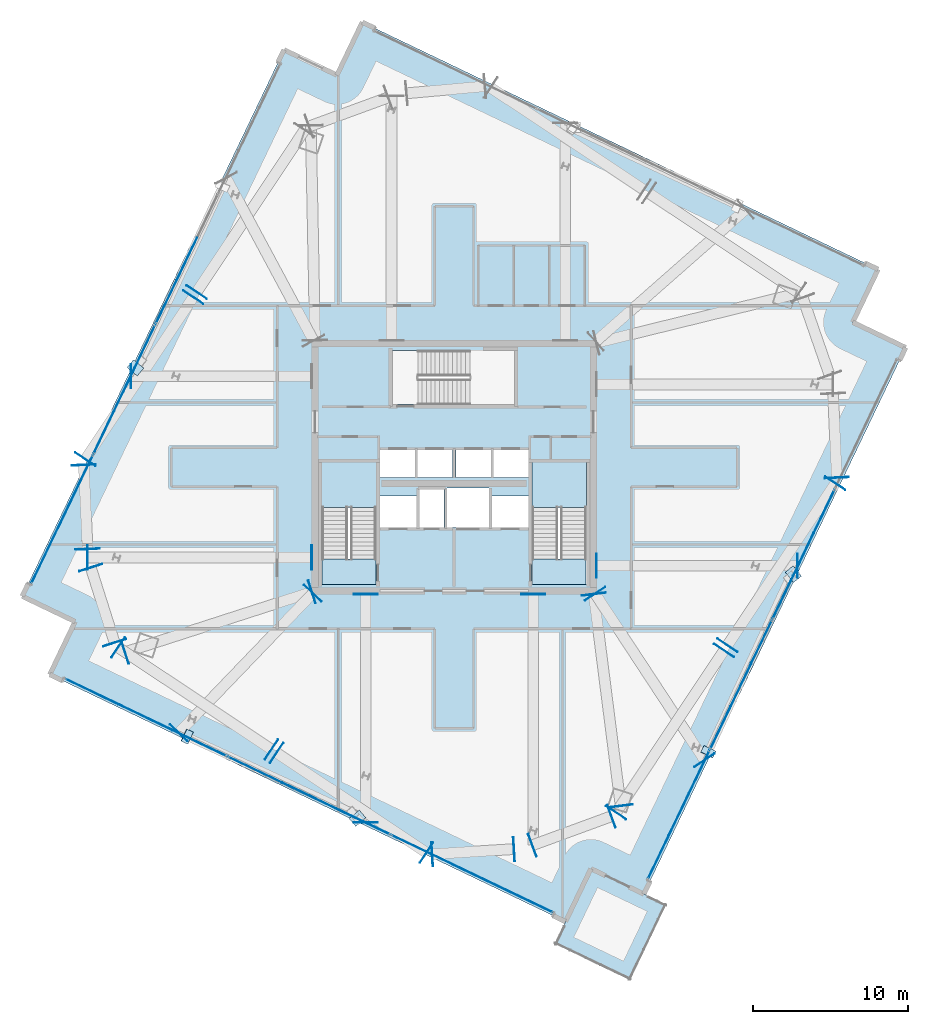
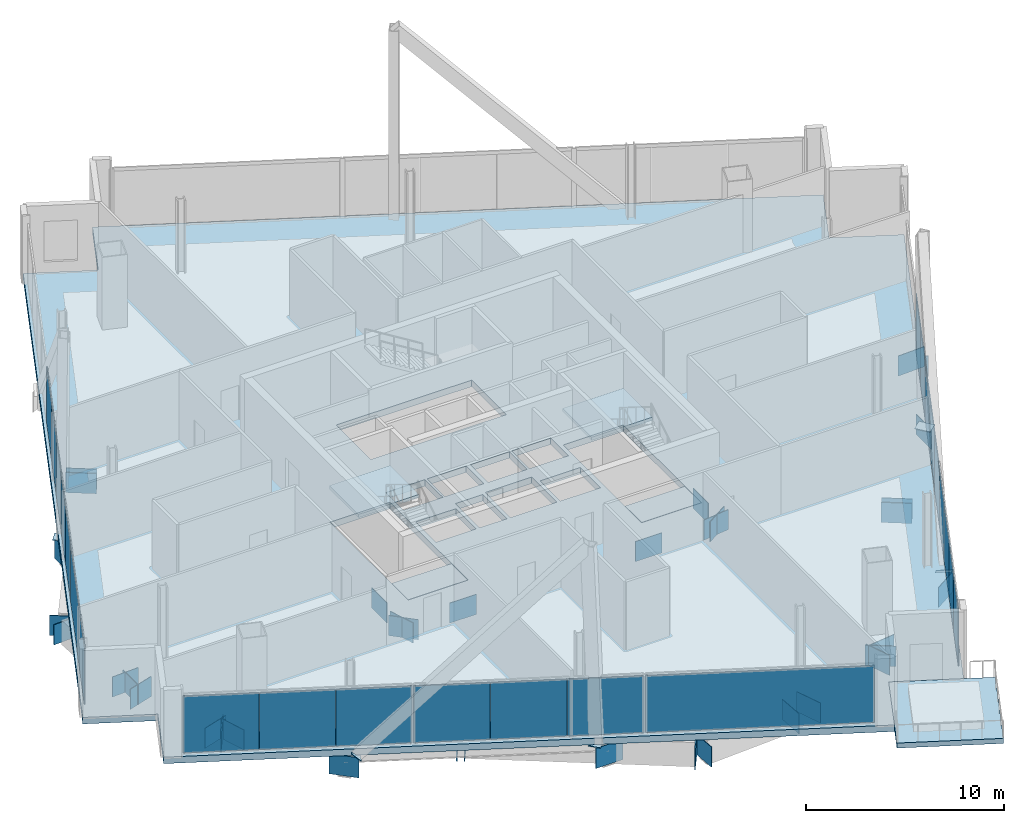
# One storey, part 15 of 24: 63 plates, 6 slabs, 5 elements without a shape of their own.
"""IFC4 building model written with IfcOpenShell, lengths in metres."""

from ifc_helpers import new_model, si_unit, direction, frame, origin, origin_2d, place, context, subcontext, project, spatial, polyline, rectangle, outline, extrude, source, transform, mapped, material, layer, layer_set, type_object, element, aggregate, save


model = new_model("IFC4")

# Units and contexts
model_context = context("Model", 3, precision=1e-05, world=origin(), true_north=direction((0.0, 1.0)))
body_context = subcontext(model_context, "Body", "Model", "MODEL_VIEW")
ifc_project = project(units=[si_unit("LENGTHUNIT", "METRE"), si_unit("AREAUNIT", "SQUARE_METRE"), si_unit("VOLUMEUNIT", "CUBIC_METRE"), si_unit("PLANEANGLEUNIT", "RADIAN"), si_unit("MASSUNIT", "GRAM", prefix="KILO")], contexts=[model_context])

# Site, building, storey
site_placement = place(None, origin())
site = spatial("IfcSite", under=ifc_project, at=site_placement, CompositionType="ELEMENT")
building_placement = place(site_placement, origin())
building = spatial("IfcBuilding", under=site, at=building_placement, Name="Haldenkirk Collegiate Tower", CompositionType="ELEMENT")
storey_placement = place(building_placement, frame((0.0, 0.0, 244.199951171875)))
storey = spatial("IfcBuildingStorey", under=building, at=storey_placement, Name="L61", CompositionType="ELEMENT", Elevation=244.199951171875)

# Slab
ifc_material_1 = material(Name="Concrete f'c 40 MPa", Category="concrete")
ifc_layer_1 = layer(ifc_material_1, 0.39990234375)
ifc_layer_set_1 = layer_set([ifc_layer_1], Name="Concrete f'c 40 MPa")
slab_type_1 = type_object("IfcSlabType", Name="SLB-FLR-400", PredefinedType="FLOOR", material=ifc_layer_set_1)
slab_1_placement = place(storey_placement, frame((0.0, 0.0, -0.39990234375)))
element("IfcSlab", 1, at=slab_1_placement, inside=storey, type_object=slab_type_1, Name="L61 composite structural floor slab", PredefinedType="FLOOR", context=body_context, shape_type="SweptSolid", body=[
    extrude(outline(polyline([(48.273193359375, -1.614013671875), (65.2109375, 33.73779296875), (61.7841796875, 35.3798828125), (63.426025390625, 38.806884765625), (30.05810546875, 54.7939453125), (28.416259765625, 51.366943359375), (24.9892578125, 53.009033203125), (8.051513671875, 17.656982421875), (11.478515625, 16.01513671875), (9.836669921875, 12.588134765625), (43.204345703125, -3.39892578125), (44.84619140625, 0.028076171875), (48.273193359375, -1.614013671875)]), holes=[polyline([(27.449951171875, 18.39990234375), (30.949951171875, 18.39990234375), (30.949951171875, 26.300048828125), (27.449951171875, 26.300048828125), (27.449951171875, 18.39990234375)]), polyline([(41.050048828125, 18.39990234375), (44.550048828125, 18.39990234375), (44.550048828125, 26.300048828125), (41.050048828125, 26.300048828125), (41.050048828125, 18.39990234375)]), polyline([(32.0, 30.050048828125), (39.89990234375, 30.050048828125), (39.89990234375, 33.550048828125), (32.0, 33.550048828125), (32.0, 30.050048828125)]), polyline([(33.75, 22.10009765625), (35.35009765625, 22.10009765625), (35.35009765625, 24.550048828125), (33.75, 24.550048828125), (33.75, 22.10009765625)]), polyline([(31.199951171875, 25.35009765625), (33.47998046875, 25.35009765625), (33.47998046875, 27.14990234375), (31.199951171875, 27.14990234375), (31.199951171875, 25.35009765625)]), polyline([(33.60009765625, 25.35009765625), (35.8798828125, 25.35009765625), (35.8798828125, 27.14990234375), (33.60009765625, 27.14990234375), (33.60009765625, 25.35009765625)]), polyline([(36.1201171875, 25.35009765625), (38.39990234375, 25.35009765625), (38.39990234375, 27.14990234375), (36.1201171875, 27.14990234375), (36.1201171875, 25.35009765625)]), polyline([(38.52001953125, 25.35009765625), (40.800048828125, 25.35009765625), (40.800048828125, 27.14990234375), (38.52001953125, 27.14990234375), (38.52001953125, 25.35009765625)]), polyline([(31.199951171875, 22.10009765625), (33.550048828125, 22.10009765625), (33.550048828125, 24.14990234375), (31.199951171875, 24.14990234375), (31.199951171875, 22.10009765625)]), polyline([(38.449951171875, 22.10009765625), (40.800048828125, 22.10009765625), (40.800048828125, 24.14990234375), (38.449951171875, 24.14990234375), (38.449951171875, 22.10009765625)]), polyline([(35.550048828125, 22.10009765625), (38.25, 22.10009765625), (38.25, 24.64990234375), (35.550048828125, 24.64990234375), (35.550048828125, 22.10009765625)])]), origin(), (0.0, 0.0, 1.0), 0.39990234375),
])

# Stair, slab
stair_type = type_object("IfcStairType", Name="STR-DOGLEG-1650", PredefinedType="HALF_TURN_STAIR", material=ifc_material_1)
stair_1_placement = place(storey_placement, origin())
stair_1 = element("IfcStair", 2, at=stair_1_placement, inside=storey, type_object=stair_type, Name="L61 Core Exit Stair ST-1", PredefinedType="HALF_TURN_STAIR")
ifc_layer_2 = layer(ifc_material_1, 0.199951171875)
ifc_layer_set_2 = layer_set([ifc_layer_2], Name="Concrete f'c 40 MPa")
slab_type_2 = type_object("IfcSlabType", Name="SLB-LANDING-200", PredefinedType="LANDING", material=ifc_layer_set_2)
slab_2_placement = place(storey_placement, frame((0.0, 0.0, 2.050048828125)))
slab_2 = element("IfcSlab", 3, at=slab_2_placement, type_object=slab_type_2, Name="ST-1 landing 1", PredefinedType="LANDING", context=body_context, shape_type="SweptSolid", body=[
    extrude(outline(polyline([(30.97509765625, 23.385009765625), (27.425048828125, 23.385009765625), (27.425048828125, 26.324951171875), (30.97509765625, 26.324951171875), (30.97509765625, 23.385009765625)])), origin(), (0.0, 0.0, 1.0), 0.199951171875),
])
aggregate(stair_1, [slab_2])

stair_2_placement = place(storey_placement, origin())
stair_2 = element("IfcStair", 4, at=stair_2_placement, inside=storey, type_object=stair_type, Name="L61 Core Exit Stair ST-2", PredefinedType="HALF_TURN_STAIR")
slab_3_placement = place(storey_placement, frame((0.0, 0.0, 2.050048828125)))
slab_3 = element("IfcSlab", 5, at=slab_3_placement, type_object=slab_type_2, Name="ST-2 landing 1", PredefinedType="LANDING", context=body_context, shape_type="SweptSolid", body=[
    extrude(outline(polyline([(44.574951171875, 23.385009765625), (41.02490234375, 23.385009765625), (41.02490234375, 26.324951171875), (44.574951171875, 26.324951171875), (44.574951171875, 23.385009765625)])), origin(), (0.0, 0.0, 1.0), 0.199951171875),
])
aggregate(stair_2, [slab_3])

# Slabs
ifc_layer_3 = layer(ifc_material_1, 0.31005859375)
ifc_layer_set_3 = layer_set([ifc_layer_3], Name="Concrete f'c 40 MPa")
slab_type_3 = type_object("IfcSlabType", Name="SLB-SKYGARDEN-310", PredefinedType="ROOF", material=ifc_layer_set_3)
slab_4_placement = place(storey_placement, frame((0.0, 0.0, -0.31005859375)))
element("IfcSlab", 6, at=slab_4_placement, inside=storey, type_object=slab_type_3, Name="L61 sky-garden planted terrace slab", PredefinedType="ROOF", context=body_context, shape_type="SweptSolid", body=[
    extrude(outline(polyline([(47.3828125, -7.175048828125), (49.71630859375, -2.30517578125), (44.84619140625, 0.028076171875), (42.512939453125, -4.841796875), (47.3828125, -7.175048828125)])), origin(), (0.0, 0.0, 1.0), 0.31005859375),
])
ifc_layer_4 = layer(ifc_material_1, 0.25)
ifc_layer_set_4 = layer_set([ifc_layer_4], Name="Concrete f'c 40 MPa")
slab_type_4 = type_object("IfcSlabType", Name="SLB-STAIRLAND-250", PredefinedType="LANDING", material=ifc_layer_set_4)
slab_5_placement = place(storey_placement, frame((0.0, 0.0, -0.25)))
element("IfcSlab", 7, at=slab_5_placement, inside=storey, type_object=slab_type_4, Name="L61 stair ST1 structural floor landing slab", PredefinedType="LANDING", context=body_context, shape_type="SweptSolid", body=[
    extrude(outline(polyline([(27.4599609375, 18.409912109375), (30.93994140625, 18.409912109375), (30.93994140625, 20.080078125), (27.4599609375, 20.080078125), (27.4599609375, 18.409912109375)])), origin(), (0.0, 0.0, 1.0), 0.25),
])
slab_6_placement = place(storey_placement, frame((0.0, 0.0, -0.25)))
element("IfcSlab", 8, at=slab_6_placement, inside=storey, type_object=slab_type_4, Name="L61 stair ST2 structural floor landing slab", PredefinedType="LANDING", context=body_context, shape_type="SweptSolid", body=[
    extrude(outline(polyline([(41.06005859375, 18.409912109375), (44.5400390625, 18.409912109375), (44.5400390625, 20.080078125), (41.06005859375, 20.080078125), (41.06005859375, 18.409912109375)])), origin(), (0.0, 0.0, 1.0), 0.25),
])

# Plates
ifc_material_2 = material(Name="Steel ASTM A572 Grade 50", Category="steel")
ifc_layer_5 = layer(ifc_material_2, 0.0400390625)
ifc_layer_set_5 = layer_set([ifc_layer_5], Name="Steel ASTM A572 Grade 50")
plate_type_1 = type_object("IfcPlateType", Name="PLT-CAP-MEGA-1240X980", PredefinedType="USERDEFINED", material=ifc_layer_set_5)
shared_shape_1 = source(origin(), body_context, "Body", "SweptSolid", [
    extrude(rectangle(XDim=1.56005859375, YDim=1.239990234375, at=origin_2d()), origin(), (0.0, 0.0, 1.0), 0.0400390625),
])
for number, where, z_axis, x_axis, name in (
    (9, (41.076904296875, 1.550537109375, -1.14990234375), (-0.938835099557, -0.344367036518, 0.0), (0.344367036518, -0.938835099557, 0.0), "L61 sky-lobby perimeter transfer girder 01 end cap plate 1"),
    (10, (46.156494140625, 3.4140625, -1.14990234375), (0.938835099557, 0.344367036518, 0.0), (-0.344367036518, 0.938835099557, 0.0), "L61 sky-lobby perimeter transfer girder 01 end cap plate 2"),
    (11, (46.48486328125, 3.672607421875, -1.14990234375), (-0.554118060463, -0.832438090832, 0.0), (0.832438090832, -0.554118060463, 0.0), "L61 sky-lobby perimeter transfer girder 02 end cap plate 1"),
    (12, (53.442626953125, 14.125, -1.14990234375), (0.554118060463, 0.832438090832, 0.0), (-0.832438090832, 0.554118060463, 0.0), "L61 sky-lobby perimeter transfer girder 02 end cap plate 2"),
    (13, (53.686279296875, 14.4912109375, -1.14990234375), (-0.554122909026, -0.832434863333, 0.0), (0.832434863333, -0.554122909026, 0.0), "L61 sky-lobby perimeter transfer girder 03 end cap plate 1"),
    (14, (60.64404296875, 24.943603515625, -1.14990234375), (0.554122909026, 0.832434863333, 0.0), (-0.832434863333, 0.554122909026, 0.0), "L61 sky-lobby perimeter transfer girder 03 end cap plate 2"),
    (15, (60.755859375, 25.346435546875, -1.14990234375), (0.044622995445, -0.999003898029, 0.0), (0.999003898029, 0.044622995445, 0.0), "L61 sky-lobby perimeter transfer girder 04 end cap plate 1"),
    (16, (19.34814453125, 37.348388671875, -1.14990234375), (-0.554121061857, -0.832436092926, 0.0), (0.832436092926, -0.554121061857, 0.0), "L61 sky-lobby perimeter transfer girder 10 end cap plate 2"),
    (17, (19.1044921875, 36.982421875, -1.14990234375), (0.554118060463, 0.832438090832, 0.0), (-0.832438090832, 0.554118060463, 0.0), "L61 sky-lobby perimeter transfer girder 11 end cap plate 1"),
    (18, (12.14697265625, 26.530029296875, -1.14990234375), (-0.554118060463, -0.832438090832, 0.0), (0.832438090832, -0.554118060463, 0.0), "L61 sky-lobby perimeter transfer girder 11 end cap plate 2"),
    (19, (12.034912109375, 26.127197265625, -1.14990234375), (-0.044621997436, 0.999003942607, 0.0), (-0.999003942607, -0.044621997436, 0.0), "L61 sky-lobby perimeter transfer girder 12 end cap plate 1"),
    (20, (12.2763671875, 20.72216796875, -1.14990234375), (0.044621997436, -0.999003942607, 0.0), (0.999003942607, 0.044621997436, 0.0), "L61 sky-lobby perimeter transfer girder 12 end cap plate 2"),
    (21, (12.495849609375, 19.486328125, -1.14990234375), (-0.301953854995, 0.953322542193, 0.0), (-0.953322542193, -0.301953854995, 0.0), "L61 sky-lobby perimeter transfer girder 13 end cap plate 1"),
    (22, (14.02197265625, 14.667236328125, -1.14990234375), (0.301953854995, -0.953322542193, 0.0), (0.953322542193, 0.301953854995, 0.0), "L61 sky-lobby perimeter transfer girder 13 end cap plate 2"),
    (23, (14.271484375, 14.335693359375, -1.14990234375), (-0.83243962746, 0.554115752018, 0.0), (-0.554115752018, -0.83243962746, 0.0), "L61 sky-lobby perimeter transfer girder 14 end cap plate 1"),
    (24, (24.160400390625, 7.753173828125, -1.14990234375), (0.83243962746, -0.554115752018, 0.0), (0.554115752018, 0.83243962746, 0.0), "L61 sky-lobby perimeter transfer girder 14 end cap plate 2"),
    (25, (24.5263671875, 7.509521484375, -1.14990234375), (-0.832436861246, 0.554119907637, 0.0), (-0.554119907637, -0.832436861246, 0.0), "L61 sky-lobby perimeter transfer girder 15 end cap plate 1"),
    (26, (34.193603515625, 1.07421875, -1.14990234375), (0.832436861246, -0.554119907637, 0.0), (0.554119907637, 0.832436861246, 0.0), "L61 sky-lobby perimeter transfer girder 15 end cap plate 2"),
    (27, (34.596435546875, 0.966064453125, -1.14990234375), (-0.998066510691, -0.062154969528, 0.0), (0.062154969528, -0.998066510691, 0.0), "L61 sky-lobby perimeter transfer girder 16 end cap plate 1"),
    (28, (39.850830078125, 1.29345703125, -1.14990234375), (0.998066510691, 0.062154969528, 0.0), (-0.062154969528, 0.998066510691, 0.0), "L61 sky-lobby perimeter transfer girder 16 end cap plate 2"),
    (29, (46.771240234375, 4.106201171875, -1.14990234375), (0.126459963302, -0.991971712138, 0.0), (0.991971712138, 0.126459963302, 0.0), "L61 sky-lobby radial transfer girder 01 end cap plate 1"),
    (30, (45.029541015625, 17.76904296875, -1.14990234375), (-0.126459963302, 0.991971712138, 0.0), (-0.991971712138, -0.126459963302, 0.0), "L61 sky-lobby radial transfer girder 01 end cap plate 2"),
    (31, (14.7236328125, 14.03759765625, -1.14990234375), (-0.951654305026, -0.307171098455, 0.0), (0.307171098455, -0.951654305026, 0.0), "L61 sky-lobby radial transfer girder 04 end cap plate 1"),
    (32, (26.7783203125, 17.928466796875, -1.14990234375), (0.951654305026, 0.307171098455, 0.0), (-0.307171098455, 0.951654305026, 0.0), "L61 sky-lobby radial transfer girder 04 end cap plate 2"),
    (33, (52.184326171875, 7.064697265625, -1.14990234375), (0.549084077601, -0.835767118117, 0.0), (0.835767118117, 0.549084077601, 0.0), "L61 sky-lobby radial transfer girder 05 end cap plate 1"),
    (34, (45.1279296875, 17.80517578125, -1.14990234375), (-0.549084077601, 0.835767118117, 0.0), (-0.835767118117, -0.549084077601, 0.0), "L61 sky-lobby radial transfer girder 05 end cap plate 2"),
    (35, (58.201904296875, 19.624267578125, -1.14990234375), (1.0, 0.0, 0.0), (0.0, 1.0, 0.0), "L61 sky-lobby radial transfer girder 06 end cap plate 1"),
    (36, (45.23291015625, 19.624267578125, -1.14990234375), (-1.0, 0.0, 0.0), (0.0, -1.0, 0.0), "L61 sky-lobby radial transfer girder 06 end cap plate 2"),
    (37, (15.119384765625, 31.8935546875, -1.14990234375), (-1.0, 0.0, 0.0), (0.0, -1.0, 0.0), "L61 sky-lobby radial transfer girder 12 end cap plate 1"),
    (38, (12.304443359375, 20.157958984375, -1.14990234375), (-1.0, 0.0, 0.0), (0.0, -1.0, 0.0), "L61 sky-lobby radial transfer girder 13 end cap plate 1"),
    (39, (26.76708984375, 20.157958984375, -1.14990234375), (1.0, 0.0, 0.0), (0.0, 1.0, 0.0), "L61 sky-lobby radial transfer girder 13 end cap plate 2"),
    (40, (18.19287109375, 8.83154296875, -1.14990234375), (-0.692760103282, -0.721168107518, 0.0), (0.721168107518, -0.692760103282, 0.0), "L61 sky-lobby radial transfer girder 14 end cap plate 1"),
    (41, (26.838623046875, 17.83203125, -1.14990234375), (0.692760103282, 0.721168107518, 0.0), (-0.721168107518, 0.692760103282, 0.0), "L61 sky-lobby radial transfer girder 14 end cap plate 2"),
    (42, (30.283203125, 3.038818359375, -1.14990234375), (0.0, -1.0, 0.0), (1.0, 0.0, 0.0), "L61 sky-lobby radial transfer girder 15 end cap plate 1"),
    (43, (30.283203125, 17.76708984375, -1.14990234375), (0.0, 1.0, 0.0), (-1.0, 0.0, 0.0), "L61 sky-lobby radial transfer girder 15 end cap plate 2"),
    (44, (41.111083984375, 17.76708984375, -1.14990234375), (0.0, 1.0, 0.0), (-1.0, 0.0, 0.0), "L61 sky-lobby radial transfer girder 16 end cap plate 2"),
):
    element("IfcPlate", number, at=place(storey_placement, frame(where, z_axis=z_axis, x_axis=x_axis)), inside=storey, type_object=plate_type_1, Name=name, ObjectType="END CAP PLATE", PredefinedType="USERDEFINED", context=body_context, shape_type="MappedRepresentation", body=[
        mapped(shared_shape_1, transform((0.0, 0.0, 0.0), x_axis=(1.0, 0.0, 0.0), y_axis=(0.0, 1.0, 0.0), z_axis=(0.0, 0.0, 1.0), scale=1.0)),
    ])
ifc_layer_6 = layer(ifc_material_2, 0.034912109375)
ifc_layer_set_6 = layer_set([ifc_layer_6], Name="Steel ASTM A572 Grade 50")
plate_type_2 = type_object("IfcPlateType", Name="PLT-CAP-EXT-760X600", PredefinedType="USERDEFINED", material=ifc_layer_set_6)
shared_shape_2 = source(origin(), body_context, "Body", "SweptSolid", [
    extrude(rectangle(XDim=0.860107421875, YDim=0.659912109375, at=origin_2d()), origin(), (0.0, 0.0, 1.0), 0.034912109375),
])
for number, where, z_axis, x_axis, name in (
    (45, (52.4462890625, 7.60498046875, -0.407958984375), (-0.302261025451, -0.649100054655, -0.698074058779), (0.906531996108, -0.422137110466, -9.9233e-08), "Perimeter Mega Brace Z5 L61-L63 SL end cap plate 1"),
    (46, (57.94580078125, 19.083251953125, -0.4072265625), (0.020445991587, 0.016572993181, -0.999653588662), (-0.629684791684, 0.776850734132, 2.12039e-07), "Perimeter Mega Brace Z5 L61-L63 SR end cap plate 1"),
    (47, (15.375732421875, 32.4345703125, -0.4072265625), (-0.025897993406, -0.031226992049, -0.999176745579), (0.769733874014, -0.638364913819, -3.46991e-07), "Perimeter Mega Brace Z5 L61-L63 NR end cap plate 1"),
    (48, (18.733642578125, 8.5693359375, -0.407958984375), (-0.633144802174, 0.291306908981, -0.717124775935), (-0.417977551627, -0.908457355265, 5.71915e-07), "Perimeter Mega Brace Z5 L61-L63 WL end cap plate 1"),
    (49, (29.741943359375, 3.295166015625, -0.4072265625), (0.024763991247, -0.028651989873, -0.999282646809), (0.756578218995, 0.653903202732, 2.68643e-07), "Perimeter Mega Brace Z5 L61-L63 WR end cap plate 1"),
):
    element("IfcPlate", number, at=place(storey_placement, frame(where, z_axis=z_axis, x_axis=x_axis)), inside=storey, type_object=plate_type_2, Name=name, ObjectType="END CAP PLATE", PredefinedType="USERDEFINED", context=body_context, shape_type="MappedRepresentation", body=[
        mapped(shared_shape_2, transform((0.0, 0.0, 0.0), x_axis=(1.0, 0.0, 0.0), y_axis=(0.0, 1.0, 0.0), z_axis=(0.0, 0.0, 1.0), scale=1.0)),
    ])

# Curtain wall, plate
ifc_material_3 = material(Name="Anodised architectural bronze aluminium", Category="aluminium")
curtain_wall_type = type_object("IfcCurtainWallType", Name="CW-SYS4-SKYGARDEN", PredefinedType="USERDEFINED", material=ifc_material_3)
curtain_wall_1_placement = place(storey_placement, origin())
curtain_wall_1 = element("IfcCurtainWall", 50, at=curtain_wall_1_placement, inside=storey, type_object=curtain_wall_type, Name="L61 Sky-garden tall bronze curtain wall", ObjectType="UNITISED CURTAIN WALL", PredefinedType="USERDEFINED")
ifc_material_4 = material(Name="Low-E argon triple insulating glass", Category="glass")
ifc_layer_7 = layer(ifc_material_4, 0.0458984375)
ifc_layer_set_7 = layer_set([ifc_layer_7], Name="Low-E argon triple insulating glass")
plate_type_3 = type_object("IfcPlateType", Name="CW-PNL-04", PredefinedType="CURTAIN_PANEL", material=ifc_layer_set_7)
shared_shape_3 = source(origin(), body_context, "Body", "SweptSolid", [
    extrude(rectangle(XDim=9.215087890625, YDim=0.0458984375, at=origin_2d()), origin(), (0.0, 0.0, 1.0), 3.508056640625),
])
plate_1_placement = place(storey_placement, frame((10.63232421875, 22.627197265625, 0.08984375), z_axis=(0.0, 0.0, 1.0), x_axis=(0.432083892841, 0.90183341563, 0.0)))
plate_1 = element("IfcPlate", 51, at=plate_1_placement, type_object=plate_type_3, Name="CW-04 panel 1.1", PredefinedType="CURTAIN_PANEL", context=body_context, shape_type="MappedRepresentation", body=[
    mapped(shared_shape_3, transform((0.0, 0.0, 0.0), x_axis=(1.0, 0.0, 0.0), y_axis=(0.0, 1.0, 0.0), z_axis=(0.0, 0.0, 1.0), scale=1.0)),
])

# Curtain wall, plates
curtain_wall_2_placement = place(storey_placement, origin())
curtain_wall_2 = element("IfcCurtainWall", 52, at=curtain_wall_2_placement, inside=storey, type_object=curtain_wall_type, Name="L61 Sky-garden tall bronze curtain wall", ObjectType="UNITISED CURTAIN WALL", PredefinedType="USERDEFINED")
shared_shape_4 = source(origin(), body_context, "Body", "SweptSolid", [
    extrude(rectangle(XDim=3.07421875, YDim=0.0458984375, at=origin_2d()), origin(), (0.0, 0.0, 1.0), 3.508056640625),
])
plate_2_placement = place(storey_placement, frame((59.936279296875, 23.145263671875, 0.08984375), z_axis=(0.0, 0.0, 1.0), x_axis=(-0.43208276013, -0.901833958331, 0.0)))
plate_2 = element("IfcPlate", 53, at=plate_2_placement, type_object=plate_type_3, Name="CW-04 panel 2.1a", PredefinedType="CURTAIN_PANEL", context=body_context, shape_type="MappedRepresentation", body=[
    mapped(shared_shape_4, transform((0.0, 0.0, 0.0), x_axis=(1.0, 0.0, 0.0), y_axis=(0.0, 1.0, 0.0), z_axis=(0.0, 0.0, 1.0), scale=1.0)),
])
ifc_material_5 = material(Name="Bronze-anodised insulated aluminium spandrel panel", Category="aluminium")
ifc_layer_8 = layer(ifc_material_5, 0.0458984375)
ifc_layer_set_8 = layer_set([ifc_layer_8], Name="Bronze-anodised insulated aluminium spandrel panel")
plate_type_4 = type_object("IfcPlateType", Name="CW-SPD-04", PredefinedType="CURTAIN_PANEL", material=ifc_layer_set_8)
plate_3_placement = place(storey_placement, frame((57.263427734375, 17.566650390625, 0.08984375), z_axis=(0.0, 0.0, 1.0), x_axis=(-0.43208276013, -0.901833958331, 0.0)))
plate_3 = element("IfcPlate", 54, at=plate_3_placement, type_object=plate_type_4, Name="CW-04 spandrel panel 2.1c", PredefinedType="CURTAIN_PANEL", context=body_context, shape_type="MappedRepresentation", body=[
    mapped(shared_shape_4, transform((0.0, 0.0, 0.0), x_axis=(1.0, 0.0, 0.0), y_axis=(0.0, 1.0, 0.0), z_axis=(0.0, 0.0, 1.0), scale=1.0)),
])
plate_4_placement = place(storey_placement, frame((55.896240234375, 14.712890625, 0.08984375), z_axis=(0.0, 0.0, 1.0), x_axis=(-0.43208276013, -0.901833958331, 0.0)))
plate_4 = element("IfcPlate", 55, at=plate_4_placement, type_object=plate_type_3, Name="CW-04 panel 3.1a", PredefinedType="CURTAIN_PANEL", context=body_context, shape_type="MappedRepresentation", body=[
    mapped(shared_shape_4, transform((0.0, 0.0, 0.0), x_axis=(1.0, 0.0, 0.0), y_axis=(0.0, 1.0, 0.0), z_axis=(0.0, 0.0, 1.0), scale=1.0)),
])
plate_5_placement = place(storey_placement, frame((53.223388671875, 9.134521484375, 0.08984375), z_axis=(0.0, 0.0, 1.0), x_axis=(-0.43208276013, -0.901833958331, 0.0)))
plate_5 = element("IfcPlate", 56, at=plate_5_placement, type_object=plate_type_4, Name="CW-04 spandrel panel 3.1c", PredefinedType="CURTAIN_PANEL", context=body_context, shape_type="MappedRepresentation", body=[
    mapped(shared_shape_4, transform((0.0, 0.0, 0.0), x_axis=(1.0, 0.0, 0.0), y_axis=(0.0, 1.0, 0.0), z_axis=(0.0, 0.0, 1.0), scale=1.0)),
])

# Plate
plate_6_placement = place(storey_placement, frame((13.326416015625, 28.25, 0.08984375), z_axis=(0.0, 0.0, 1.0), x_axis=(0.432083892841, 0.90183341563, 0.0)))
plate_6 = element("IfcPlate", 57, at=plate_6_placement, type_object=plate_type_3, Name="CW-04 panel 2.1a", PredefinedType="CURTAIN_PANEL", context=body_context, shape_type="MappedRepresentation", body=[
    mapped(shared_shape_4, transform((0.0, 0.0, 0.0), x_axis=(1.0, 0.0, 0.0), y_axis=(0.0, 1.0, 0.0), z_axis=(0.0, 0.0, 1.0), scale=1.0)),
])

plate_7_placement = place(storey_placement, frame((15.9990234375, 33.82861328125, 0.08984375), z_axis=(0.0, 0.0, 1.0), x_axis=(0.432083892841, 0.90183341563, 0.0)))
plate_7 = element("IfcPlate", 58, at=plate_7_placement, type_object=plate_type_4, Name="CW-04 spandrel panel 2.1c", PredefinedType="CURTAIN_PANEL", context=body_context, shape_type="MappedRepresentation", body=[
    mapped(shared_shape_4, transform((0.0, 0.0, 0.0), x_axis=(1.0, 0.0, 0.0), y_axis=(0.0, 1.0, 0.0), z_axis=(0.0, 0.0, 1.0), scale=1.0)),
])

plate_8_placement = place(storey_placement, frame((17.3662109375, 36.681884765625, 0.08984375), z_axis=(0.0, 0.0, 1.0), x_axis=(0.432083892841, 0.90183341563, 0.0)))
plate_8 = element("IfcPlate", 59, at=plate_8_placement, type_object=plate_type_3, Name="CW-04 panel 3.1a", PredefinedType="CURTAIN_PANEL", context=body_context, shape_type="MappedRepresentation", body=[
    mapped(shared_shape_4, transform((0.0, 0.0, 0.0), x_axis=(1.0, 0.0, 0.0), y_axis=(0.0, 1.0, 0.0), z_axis=(0.0, 0.0, 1.0), scale=1.0)),
])

shared_shape_5 = source(origin(), body_context, "Body", "SweptSolid", [
    extrude(rectangle(XDim=3.061767578125, YDim=0.0458984375, at=origin_2d()), origin(), (0.0, 0.0, 1.0), 3.508056640625),
])
plate_9_placement = place(storey_placement, frame((58.599853515625, 20.35595703125, 0.08984375), z_axis=(0.0, 0.0, 1.0), x_axis=(-0.43208276013, -0.901833958331, 0.0)))
plate_9 = element("IfcPlate", 60, at=plate_9_placement, type_object=plate_type_4, Name="CW-04 spandrel panel 2.1b", PredefinedType="CURTAIN_PANEL", context=body_context, shape_type="MappedRepresentation", body=[
    mapped(shared_shape_5, transform((0.0, 0.0, 0.0), x_axis=(1.0, 0.0, 0.0), y_axis=(0.0, 1.0, 0.0), z_axis=(0.0, 0.0, 1.0), scale=1.0)),
])

plate_10_placement = place(storey_placement, frame((54.559814453125, 11.923583984375, 0.08984375), z_axis=(0.0, 0.0, 1.0), x_axis=(-0.43208276013, -0.901833958331, 0.0)))
plate_10 = element("IfcPlate", 61, at=plate_10_placement, type_object=plate_type_4, Name="CW-04 spandrel panel 3.1b", PredefinedType="CURTAIN_PANEL", context=body_context, shape_type="MappedRepresentation", body=[
    mapped(shared_shape_5, transform((0.0, 0.0, 0.0), x_axis=(1.0, 0.0, 0.0), y_axis=(0.0, 1.0, 0.0), z_axis=(0.0, 0.0, 1.0), scale=1.0)),
])

plate_11_placement = place(storey_placement, frame((14.66259765625, 31.039306640625, 0.08984375), z_axis=(0.0, 0.0, 1.0), x_axis=(0.432083892841, 0.90183341563, 0.0)))
plate_11 = element("IfcPlate", 62, at=plate_11_placement, type_object=plate_type_4, Name="CW-04 spandrel panel 2.1b", PredefinedType="CURTAIN_PANEL", context=body_context, shape_type="MappedRepresentation", body=[
    mapped(shared_shape_5, transform((0.0, 0.0, 0.0), x_axis=(1.0, 0.0, 0.0), y_axis=(0.0, 1.0, 0.0), z_axis=(0.0, 0.0, 1.0), scale=1.0)),
])

plate_12_placement = place(storey_placement, frame((18.70263671875, 39.47119140625, 0.08984375), z_axis=(0.0, 0.0, 1.0), x_axis=(0.432083892841, 0.90183341563, 0.0)))
plate_12 = element("IfcPlate", 63, at=plate_12_placement, type_object=plate_type_4, Name="CW-04 spandrel panel 3.1b", PredefinedType="CURTAIN_PANEL", context=body_context, shape_type="MappedRepresentation", body=[
    mapped(shared_shape_5, transform((0.0, 0.0, 0.0), x_axis=(1.0, 0.0, 0.0), y_axis=(0.0, 1.0, 0.0), z_axis=(0.0, 0.0, 1.0), scale=1.0)),
])

aggregate(curtain_wall_1, [plate_1, plate_6, plate_11, plate_7, plate_8, plate_12])

shared_shape_6 = source(origin(), body_context, "Body", "SweptSolid", [
    extrude(rectangle(XDim=3.05908203125, YDim=0.0458984375, at=origin_2d()), origin(), (0.0, 0.0, 1.0), 3.508056640625),
])
plate_13_placement = place(storey_placement, frame((51.859619140625, 6.28759765625, 0.08984375), z_axis=(0.0, 0.0, 1.0), x_axis=(-0.43208276013, -0.901833958331, 0.0)))
plate_13 = element("IfcPlate", 64, at=plate_13_placement, type_object=plate_type_4, Name="CW-04 spandrel panel 4.1a", PredefinedType="CURTAIN_PANEL", context=body_context, shape_type="MappedRepresentation", body=[
    mapped(shared_shape_6, transform((0.0, 0.0, 0.0), x_axis=(1.0, 0.0, 0.0), y_axis=(0.0, 1.0, 0.0), z_axis=(0.0, 0.0, 1.0), scale=1.0)),
])

plate_14_placement = place(storey_placement, frame((49.19970703125, 0.736083984375, 0.08984375), z_axis=(0.0, 0.0, 1.0), x_axis=(-0.43208276013, -0.901833958331, 0.0)))
plate_14 = element("IfcPlate", 65, at=plate_14_placement, type_object=plate_type_3, Name="CW-04 panel 4.1c", PredefinedType="CURTAIN_PANEL", context=body_context, shape_type="MappedRepresentation", body=[
    mapped(shared_shape_6, transform((0.0, 0.0, 0.0), x_axis=(1.0, 0.0, 0.0), y_axis=(0.0, 1.0, 0.0), z_axis=(0.0, 0.0, 1.0), scale=1.0)),
])

shared_shape_7 = source(origin(), body_context, "Body", "SweptSolid", [
    extrude(rectangle(XDim=3.046630859375, YDim=0.0458984375, at=origin_2d()), origin(), (0.0, 0.0, 1.0), 3.508056640625),
])
plate_15_placement = place(storey_placement, frame((50.529541015625, 3.511962890625, 0.08984375), z_axis=(0.0, 0.0, 1.0), x_axis=(-0.43208276013, -0.901833958331, 0.0)))
plate_15 = element("IfcPlate", 66, at=plate_15_placement, type_object=plate_type_3, Name="CW-04 panel 4.1b", PredefinedType="CURTAIN_PANEL", context=body_context, shape_type="MappedRepresentation", body=[
    mapped(shared_shape_7, transform((0.0, 0.0, 0.0), x_axis=(1.0, 0.0, 0.0), y_axis=(0.0, 1.0, 0.0), z_axis=(0.0, 0.0, 1.0), scale=1.0)),
])

aggregate(curtain_wall_2, [plate_2, plate_9, plate_3, plate_4, plate_10, plate_5, plate_13, plate_15, plate_14])

# Curtain wall, plates
curtain_wall_3_placement = place(storey_placement, origin())
curtain_wall_3 = element("IfcCurtainWall", 67, at=curtain_wall_3_placement, inside=storey, type_object=curtain_wall_type, Name="L61 Sky-garden tall bronze curtain wall", ObjectType="UNITISED CURTAIN WALL", PredefinedType="USERDEFINED")
shared_shape_8 = source(origin(), body_context, "Body", "SweptSolid", [
    extrude(rectangle(XDim=11.598388671875, YDim=0.0458984375, at=origin_2d()), origin(), (0.0, 0.0, 1.0), 3.508056640625),
])
plate_16_placement = place(storey_placement, frame((37.159423828125, -0.302978515625, 0.08984375), z_axis=(0.0, 0.0, 1.0), x_axis=(-0.901834340884, 0.432081961673, 0.0)))
plate_16 = element("IfcPlate", 68, at=plate_16_placement, type_object=plate_type_3, Name="CW-04 panel 1.1", PredefinedType="CURTAIN_PANEL", context=body_context, shape_type="MappedRepresentation", body=[
    mapped(shared_shape_8, transform((0.0, 0.0, 0.0), x_axis=(1.0, 0.0, 0.0), y_axis=(0.0, 1.0, 0.0), z_axis=(0.0, 0.0, 1.0), scale=1.0)),
])
shared_shape_9 = source(origin(), body_context, "Body", "SweptSolid", [
    extrude(rectangle(XDim=3.86865234375, YDim=0.0458984375, at=origin_2d()), origin(), (0.0, 0.0, 1.0), 3.508056640625),
])
plate_17_placement = place(storey_placement, frame((30.10400390625, 3.077392578125, 0.08984375), z_axis=(0.0, 0.0, 1.0), x_axis=(-0.901834340884, 0.432081961673, 0.0)))
plate_17 = element("IfcPlate", 69, at=plate_17_placement, type_object=plate_type_4, Name="CW-04 spandrel panel 2.1a", PredefinedType="CURTAIN_PANEL", context=body_context, shape_type="MappedRepresentation", body=[
    mapped(shared_shape_9, transform((0.0, 0.0, 0.0), x_axis=(1.0, 0.0, 0.0), y_axis=(0.0, 1.0, 0.0), z_axis=(0.0, 0.0, 1.0), scale=1.0)),
])
plate_18_placement = place(storey_placement, frame((23.092529296875, 6.4365234375, 0.08984375), z_axis=(0.0, 0.0, 1.0), x_axis=(-0.901834340884, 0.432081961673, 0.0)))
plate_18 = element("IfcPlate", 70, at=plate_18_placement, type_object=plate_type_4, Name="CW-04 spandrel panel 2.1c", PredefinedType="CURTAIN_PANEL", context=body_context, shape_type="MappedRepresentation", body=[
    mapped(shared_shape_9, transform((0.0, 0.0, 0.0), x_axis=(1.0, 0.0, 0.0), y_axis=(0.0, 1.0, 0.0), z_axis=(0.0, 0.0, 1.0), scale=1.0)),
])
shared_shape_10 = source(origin(), body_context, "Body", "SweptSolid", [
    extrude(rectangle(XDim=3.856201171875, YDim=0.0458984375, at=origin_2d()), origin(), (0.0, 0.0, 1.0), 3.508056640625),
])
plate_19_placement = place(storey_placement, frame((26.598388671875, 4.757080078125, 0.08984375), z_axis=(0.0, 0.0, 1.0), x_axis=(-0.901834340884, 0.432081961673, 0.0)))
plate_19 = element("IfcPlate", 71, at=plate_19_placement, type_object=plate_type_3, Name="CW-04 panel 2.1b", PredefinedType="CURTAIN_PANEL", context=body_context, shape_type="MappedRepresentation", body=[
    mapped(shared_shape_10, transform((0.0, 0.0, 0.0), x_axis=(1.0, 0.0, 0.0), y_axis=(0.0, 1.0, 0.0), z_axis=(0.0, 0.0, 1.0), scale=1.0)),
])
shared_shape_11 = source(origin(), body_context, "Body", "SweptSolid", [
    extrude(rectangle(XDim=3.853515625, YDim=0.0458984375, at=origin_2d()), origin(), (0.0, 0.0, 1.0), 3.508056640625),
])
plate_20_placement = place(storey_placement, frame((19.529296875, 8.143798828125, 0.08984375), z_axis=(0.0, 0.0, 1.0), x_axis=(-0.901834340884, 0.432081961673, 0.0)))
plate_20 = element("IfcPlate", 72, at=plate_20_placement, type_object=plate_type_4, Name="CW-04 spandrel panel 3.1a", PredefinedType="CURTAIN_PANEL", context=body_context, shape_type="MappedRepresentation", body=[
    mapped(shared_shape_11, transform((0.0, 0.0, 0.0), x_axis=(1.0, 0.0, 0.0), y_axis=(0.0, 1.0, 0.0), z_axis=(0.0, 0.0, 1.0), scale=1.0)),
])
plate_21_placement = place(storey_placement, frame((12.544921875, 11.490234375, 0.08984375), z_axis=(0.0, 0.0, 1.0), x_axis=(-0.901834340884, 0.432081961673, 0.0)))
plate_21 = element("IfcPlate", 73, at=plate_21_placement, type_object=plate_type_3, Name="CW-04 panel 3.1c", PredefinedType="CURTAIN_PANEL", context=body_context, shape_type="MappedRepresentation", body=[
    mapped(shared_shape_11, transform((0.0, 0.0, 0.0), x_axis=(1.0, 0.0, 0.0), y_axis=(0.0, 1.0, 0.0), z_axis=(0.0, 0.0, 1.0), scale=1.0)),
])
shared_shape_12 = source(origin(), body_context, "Body", "SweptSolid", [
    extrude(rectangle(XDim=3.841064453125, YDim=0.0458984375, at=origin_2d()), origin(), (0.0, 0.0, 1.0), 3.508056640625),
])
plate_22_placement = place(storey_placement, frame((16.037109375, 9.81689453125, 0.08984375), z_axis=(0.0, 0.0, 1.0), x_axis=(-0.901834340884, 0.432081961673, 0.0)))
plate_22 = element("IfcPlate", 74, at=plate_22_placement, type_object=plate_type_3, Name="CW-04 panel 3.1b", PredefinedType="CURTAIN_PANEL", context=body_context, shape_type="MappedRepresentation", body=[
    mapped(shared_shape_12, transform((0.0, 0.0, 0.0), x_axis=(1.0, 0.0, 0.0), y_axis=(0.0, 1.0, 0.0), z_axis=(0.0, 0.0, 1.0), scale=1.0)),
])
aggregate(curtain_wall_3, [plate_16, plate_17, plate_19, plate_18, plate_20, plate_22, plate_21])

save(model, "model.ifc")
